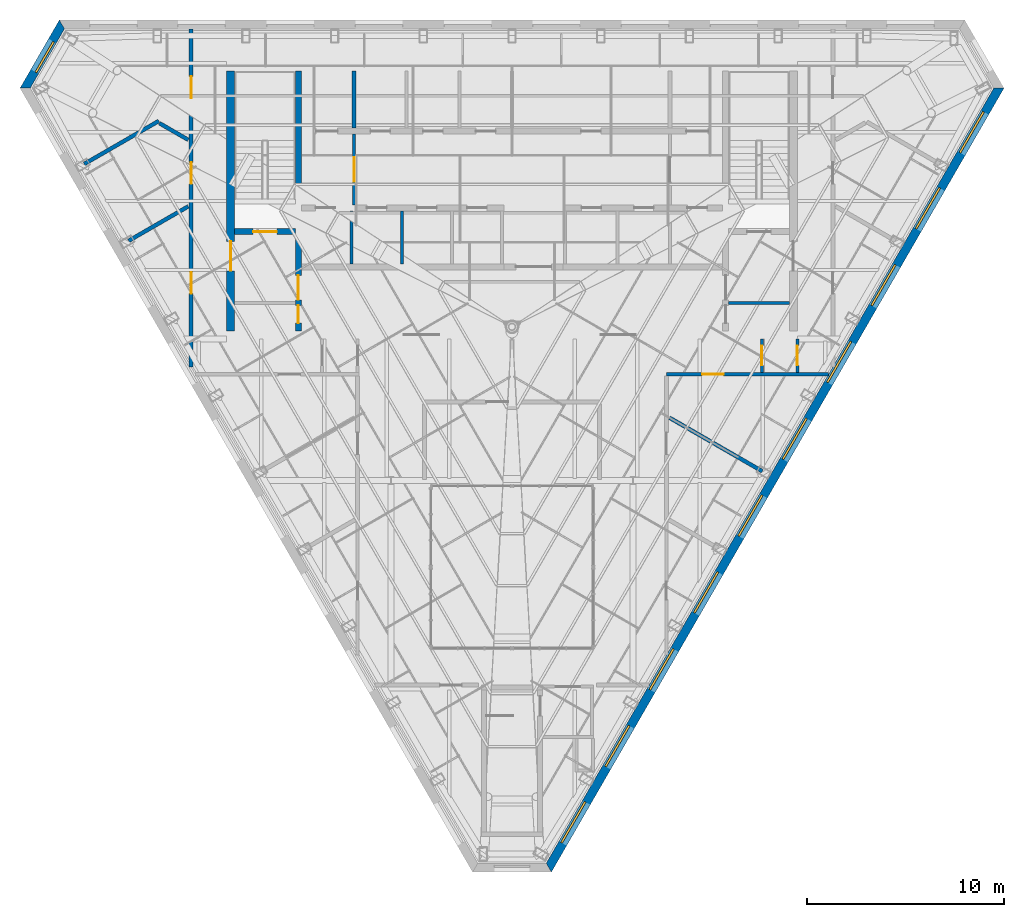
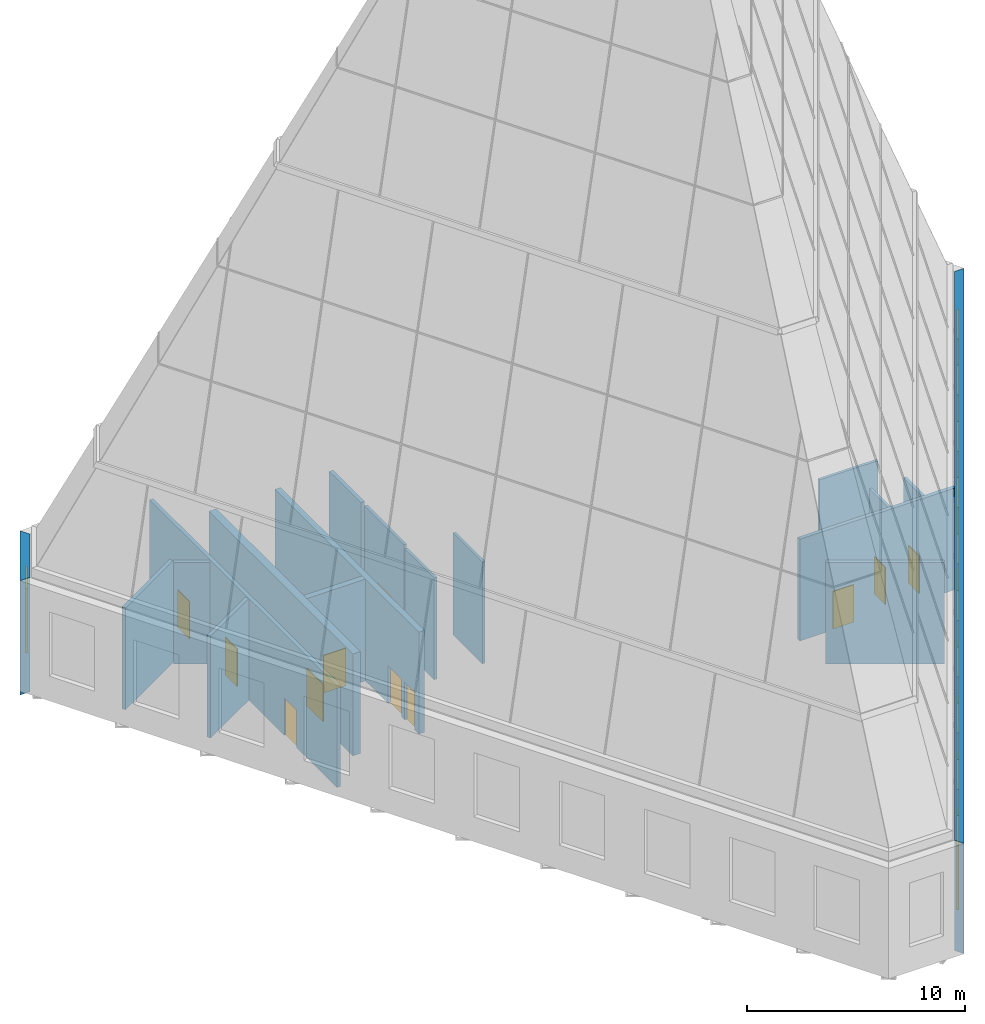
# One storey, part 31 of 36: 18 walls, 11 doors, 11 shading devices, 22 openings.
"""IFC4 building model written with IfcOpenShell, lengths in metres."""

from ifc_helpers import new_model, si_unit, direction, frame, frame_2d, origin, place, context, subcontext, project, spatial, polyline, rectangle, outline, extrude, material, layer, layer_set, type_object, element, fill, save


model = new_model("IFC4")

# Units and contexts
model_context = context("Model", 3, precision=1e-05, world=origin(), true_north=direction((0.0, 1.0)))
body_context = subcontext(model_context, "Body", "Model", "MODEL_VIEW")
ifc_project = project(units=[si_unit("LENGTHUNIT", "METRE"), si_unit("AREAUNIT", "SQUARE_METRE"), si_unit("VOLUMEUNIT", "CUBIC_METRE"), si_unit("PLANEANGLEUNIT", "RADIAN"), si_unit("MASSUNIT", "GRAM", prefix="KILO")], contexts=[model_context])

# Site, building, storey
site_placement = place(None, origin())
site = spatial("IfcSite", under=ifc_project, at=site_placement, CompositionType="ELEMENT")
building_placement = place(site_placement, origin())
building = spatial("IfcBuilding", under=site, at=building_placement, Name="Njiva Tower", CompositionType="ELEMENT")
storey_placement = place(building_placement, frame((0.0, 0.0, 337.8)))
storey = spatial("IfcBuildingStorey", under=building, at=storey_placement, Name="L77", CompositionType="ELEMENT", Elevation=337.8)

# Walls
ifc_material_1 = material(Name="Blockwork", Category="masonry")
ifc_layer_1 = layer(ifc_material_1, 0.15)
ifc_layer_set_1 = layer_set([ifc_layer_1], Name="Blockwork")
wall_type_1 = type_object("IfcWallType", Name="WT1 Compartment partition 150", PredefinedType="PARTITIONING", material=ifc_layer_set_1)
for number, where, z_axis, x_axis, name in (
    (1, (-8.15, 7.8, 0.0), (0.0, 0.0, 1.0), (0.0, 1.0, 0.0), "Partition CS1"),
    (2, (-5.6, 7.8, 0.0), (0.0, 0.0, 1.0), (0.0, 1.0, 0.0), "Partition CS2"),
):
    element("IfcWall", number, at=place(storey_placement, frame(where, z_axis=z_axis, x_axis=x_axis)), inside=storey, type_object=wall_type_1, Name=name, PredefinedType="PARTITIONING", context=body_context, shape_type="SweptSolid", body=[
        extrude(rectangle(XDim=2.7, YDim=0.15, at=frame_2d((1.35, 0.0))), origin(), (0.0, 0.0, 1.0), 5.7),
    ])
wall_1_placement = place(storey_placement, frame((11.0, 5.825, 0.0), z_axis=(0.0, 0.0, 1.0), x_axis=(1.0, 0.0, 0.0)))
element("IfcWall", 3, at=wall_1_placement, inside=storey, type_object=wall_type_1, Name="Room wall B", PredefinedType="PARTITIONING", context=body_context, shape_type="SweptSolid", body=[
    extrude(rectangle(XDim=3.1, YDim=0.15, at=frame_2d((1.55, 0.0))), origin(), (0.0, 0.0, 1.0), 5.7),
])

# Wall, openings, doors
ifc_material_2 = material(Name="Concrete C40/50", Category="concrete")
ifc_layer_2 = layer(ifc_material_2, 0.3)
ifc_layer_set_2 = layer_set([ifc_layer_2], Name="Concrete C40/50")
wall_type_2 = type_object("IfcWallType", Name="WT10 Stair enclosure wall 300", PredefinedType="SHEAR", material=ifc_layer_set_2)
wall_2_placement = place(storey_placement, frame((-10.85, 4.4, 0.0), z_axis=(0.0, 0.0, 1.0), x_axis=(0.0, 1.0, 0.0)))
wall_2 = element("IfcWall", 4, at=wall_2_placement, inside=storey, type_object=wall_type_2, Name="Stair wall west inner", PredefinedType="SHEAR", context=body_context, shape_type="SweptSolid", body=[
    extrude(rectangle(XDim=13.2, YDim=0.3, at=frame_2d((6.6, 0.0))), origin(), (0.0, 0.0, 1.0), 5.7),
])
opening_1_placement = place(wall_2_placement, frame((1.575, 0.0, 0.0)))
opening_1 = element("IfcOpeningElement", 5, at=opening_1_placement, cuts=wall_2, Name="Opening CR-D916", PredefinedType="OPENING", context=body_context, shape_type="SweptSolid", body=[
    extrude(rectangle(XDim=1.25, YDim=2.1, at=frame_2d((0.625, 1.05))), frame((0.0, 0.16, 0.0), z_axis=(0.0, -1.0, 0.0), x_axis=(1.0, 0.0, 0.0)), (0.0, 0.0, 1.0), 0.32),
])
opening_2_placement = place(wall_2_placement, frame((0.4, 0.0, 0.0)))
opening_2 = element("IfcOpeningElement", 6, at=opening_2_placement, cuts=wall_2, Name="Opening CR-D918", PredefinedType="OPENING", context=body_context, shape_type="SweptSolid", body=[
    extrude(rectangle(XDim=0.9, YDim=2.1, at=frame_2d((0.45, 1.05))), frame((0.0, 0.16, 0.0), z_axis=(0.0, -1.0, 0.0), x_axis=(1.0, 0.0, 0.0)), (0.0, 0.0, 1.0), 0.32),
])
ifc_material_3 = material(Name="Steel door, painted", Category="steel")
door_type_1 = type_object("IfcDoorType", Name="D13 Steel door 900x2100", OperationType="SINGLE_SWING_LEFT", PredefinedType="DOOR", material=ifc_material_3)
door_1_placement = place(opening_2_placement, origin())
door_1 = element("IfcDoor", 7, at=door_1_placement, inside=storey, type_object=door_type_1, Name="Electrical plant room door", OperationType="SINGLE_SWING_RIGHT", OverallHeight=2.1, OverallWidth=0.9, PredefinedType="DOOR", context=body_context, shape_type="SweptSolid", body=[
    extrude(rectangle(XDim=0.9, YDim=2.1, at=frame_2d((0.45, 1.05))), frame((0.0, 0.025, 0.0), z_axis=(0.0, -1.0, 0.0), x_axis=(1.0, 0.0, 0.0)), (0.0, 0.0, 1.0), 0.05),
])
fill(opening_2, door_1)
ifc_material_4 = material(Name="Glazed steel fire door", Category="steel")
door_type_2 = type_object("IfcDoorType", Name="D8 Vestibule corridor door 1250x2100 glazed", OperationType="SINGLE_SWING_LEFT", PredefinedType="DOOR", material=ifc_material_4)
door_2_placement = place(opening_1_placement, origin())
door_2 = element("IfcDoor", 8, at=door_2_placement, inside=storey, type_object=door_type_2, Name="Stair vestibule corridor door", OperationType="SINGLE_SWING_LEFT", OverallHeight=2.1, OverallWidth=1.25, PredefinedType="DOOR", context=body_context, shape_type="SweptSolid", body=[
    extrude(rectangle(XDim=1.25, YDim=2.1, at=frame_2d((0.625, 1.05))), frame((0.0, 0.025, 0.0), z_axis=(0.0, -1.0, 0.0), x_axis=(1.0, 0.0, 0.0)), (0.0, 0.0, 1.0), 0.05),
])
fill(opening_1, door_2)

# Wall, opening, door
wall_3_placement = place(storey_placement, frame((-14.1, 9.45, 0.0), z_axis=(0.0, 0.0, 1.0), x_axis=(1.0, 0.0, 0.0)))
wall_3 = element("IfcWall", 9, at=wall_3_placement, inside=storey, type_object=wall_type_2, Name="Stair A south wall", PredefinedType="SHEAR", context=body_context, shape_type="SweptSolid", body=[
    extrude(rectangle(XDim=3.1, YDim=0.3, at=frame_2d((1.55, 0.0))), origin(), (0.0, 0.0, 1.0), 5.7),
])
opening_3_placement = place(wall_3_placement, frame((0.95, 0.0, 0.0)))
opening_3 = element("IfcOpeningElement", 10, at=opening_3_placement, cuts=wall_3, Name="Opening CR-D915", PredefinedType="OPENING", context=body_context, shape_type="SweptSolid", body=[
    extrude(rectangle(XDim=1.2, YDim=2.1, at=frame_2d((0.6, 1.05))), frame((0.0, 0.16, 0.0), z_axis=(0.0, -1.0, 0.0), x_axis=(1.0, 0.0, 0.0)), (0.0, 0.0, 1.0), 0.32),
])
door_type_3 = type_object("IfcDoorType", Name="D7 Stair vestibule door 1200x2100 glazed", OperationType="SINGLE_SWING_LEFT", PredefinedType="DOOR", material=ifc_material_4)
door_3_placement = place(opening_3_placement, origin())
door_3 = element("IfcDoor", 11, at=door_3_placement, inside=storey, type_object=door_type_3, Name="Stair A door", OperationType="SINGLE_SWING_LEFT", OverallHeight=2.1, OverallWidth=1.2, PredefinedType="DOOR", context=body_context, shape_type="SweptSolid", body=[
    extrude(rectangle(XDim=1.2, YDim=2.1, at=frame_2d((0.6, 1.05))), frame((0.0, 0.025, 0.0), z_axis=(0.0, -1.0, 0.0), x_axis=(1.0, 0.0, 0.0)), (0.0, 0.0, 1.0), 0.05),
])
fill(opening_3, door_3)

ifc_material_5 = material(Name="Concrete C60/75", Category="concrete")
ifc_layer_3 = layer(ifc_material_5, 0.4)
ifc_layer_set_3 = layer_set([ifc_layer_3], Name="Concrete C60/75")
wall_type_3 = type_object("IfcWallType", Name="WT11 Core wall 400", PredefinedType="SHEAR", material=ifc_layer_set_3)
wall_4_placement = place(storey_placement, frame((-14.3, 4.4, 0.0), z_axis=(0.0, 0.0, 1.0), x_axis=(0.0, 1.0, 0.0)))
wall_4 = element("IfcWall", 12, at=wall_4_placement, inside=storey, type_object=wall_type_3, Name="Core wall west", PredefinedType="SHEAR", context=body_context, shape_type="SweptSolid", body=[
    extrude(rectangle(XDim=13.2, YDim=0.4, at=frame_2d((6.6, 0.0))), origin(), (0.0, 0.0, 1.0), 5.7),
])
opening_4_placement = place(wall_4_placement, frame((3.05, 0.0, 0.0)))
opening_4 = element("IfcOpeningElement", 13, at=opening_4_placement, cuts=wall_4, Name="Opening CR-D917", PredefinedType="OPENING", context=body_context, shape_type="SweptSolid", body=[
    extrude(rectangle(XDim=1.5, YDim=2.1, at=frame_2d((0.75, 1.05))), frame((0.0, 0.21, 0.0), z_axis=(0.0, -1.0, 0.0), x_axis=(1.0, 0.0, 0.0)), (0.0, 0.0, 1.0), 0.42),
])
door_type_4 = type_object("IfcDoorType", Name="D10 Exit door double 1500x2100 glazed", OperationType="DOUBLE_DOOR_SINGLE_SWING", PredefinedType="DOOR", material=ifc_material_4)
door_4_placement = place(opening_4_placement, origin())
door_4 = element("IfcDoor", 14, at=door_4_placement, inside=storey, type_object=door_type_4, Name="Stair A corridor door", OperationType="DOUBLE_DOOR_SINGLE_SWING", OverallHeight=2.1, OverallWidth=1.5, PredefinedType="DOOR", context=body_context, shape_type="SweptSolid", body=[
    extrude(rectangle(XDim=1.5, YDim=2.1, at=frame_2d((0.75, 1.05))), frame((0.0, 0.025, 0.0), z_axis=(0.0, -1.0, 0.0), x_axis=(1.0, 0.0, 0.0)), (0.0, 0.0, 1.0), 0.05),
])
fill(opening_4, door_4)

ifc_layer_4 = layer(ifc_material_1, 0.15)
ifc_layer_set_4 = layer_set([ifc_layer_4], Name="Blockwork")
wall_type_4 = type_object("IfcWallType", Name="WT2 Lobby partition 150", PredefinedType="PARTITIONING", material=ifc_layer_set_4)
wall_5_placement = place(storey_placement, frame((-8.025, 10.8, 0.0), z_axis=(0.0, 0.0, 1.0), x_axis=(0.0, 1.0, 0.0)))
wall_5 = element("IfcWall", 15, at=wall_5_placement, inside=storey, type_object=wall_type_4, Name="Firefighting lobby wall A", PredefinedType="PARTITIONING", context=body_context, shape_type="SweptSolid", body=[
    extrude(rectangle(XDim=3.6, YDim=0.15, at=frame_2d((1.8, 0.0))), origin(), (0.0, 0.0, 1.0), 5.7),
])
opening_5_placement = place(wall_5_placement, frame((1.175, 0.0, 0.0)))
opening_5 = element("IfcOpeningElement", 16, at=opening_5_placement, cuts=wall_5, Name="Opening CR-D914", PredefinedType="OPENING", context=body_context, shape_type="SweptSolid", body=[
    extrude(rectangle(XDim=1.25, YDim=2.1, at=frame_2d((0.625, 1.05))), frame((0.0, 0.085, 0.0), z_axis=(0.0, -1.0, 0.0), x_axis=(1.0, 0.0, 0.0)), (0.0, 0.0, 1.0), 0.17),
])
door_5_placement = place(opening_5_placement, origin())
door_5 = element("IfcDoor", 17, at=door_5_placement, inside=storey, type_object=door_type_2, Name="Stair vestibule corridor door", OperationType="SINGLE_SWING_RIGHT", OverallHeight=2.1, OverallWidth=1.25, PredefinedType="DOOR", context=body_context, shape_type="SweptSolid", body=[
    extrude(rectangle(XDim=1.25, YDim=2.1, at=frame_2d((0.625, 1.05))), frame((0.0, 0.025, 0.0), z_axis=(0.0, -1.0, 0.0), x_axis=(1.0, 0.0, 0.0)), (0.0, 0.0, 1.0), 0.05),
])
fill(opening_5, door_5)

ifc_material_6 = material(Name="Gypsum board on steel studs", Category="gypsum")
ifc_layer_5 = layer(ifc_material_6, 0.15)
ifc_layer_set_5 = layer_set([ifc_layer_5], Name="Gypsum board on steel studs")
wall_type_5 = type_object("IfcWallType", Name="WT21 Compartment wall 150", PredefinedType="PARTITIONING", material=ifc_layer_set_5)
wall_6_placement = place(storey_placement, frame((12.7, 2.3, 0.0), z_axis=(0.0, 0.0, 1.0), x_axis=(0.0, 1.0, 0.0)))
wall_6 = element("IfcWall", 18, at=wall_6_placement, inside=storey, type_object=wall_type_5, Name="Partition CR-P022", PredefinedType="PARTITIONING", context=body_context, shape_type="SweptSolid", body=[
    extrude(rectangle(XDim=1.7, YDim=0.15, at=frame_2d((0.85, 0.0))), origin(), (0.0, 0.0, 1.0), 5.7),
])
opening_6_placement = place(wall_6_placement, frame((0.35, 0.0, 0.0)))
opening_6 = element("IfcOpeningElement", 19, at=opening_6_placement, cuts=wall_6, Name="Opening CR-D014", PredefinedType="OPENING", context=body_context, shape_type="SweptSolid", body=[
    extrude(rectangle(XDim=1.0, YDim=2.1, at=frame_2d((0.5, 1.05))), frame((0.0, 0.085, 0.0), z_axis=(0.0, -1.0, 0.0), x_axis=(1.0, 0.0, 0.0)), (0.0, 0.0, 1.0), 0.17),
])
ifc_material_7 = material(Name="Steel fire door set", Category="steel")
door_type_5 = type_object("IfcDoorType", Name="D37 Fire door 1000x2100", OperationType="SINGLE_SWING_LEFT", PredefinedType="DOOR", material=ifc_material_7)
door_6_placement = place(opening_6_placement, origin())
door_6 = element("IfcDoor", 20, at=door_6_placement, inside=storey, type_object=door_type_5, Name="Door CR-D014", OperationType="SINGLE_SWING_RIGHT", OverallHeight=2.1, OverallWidth=1.0, PredefinedType="DOOR", context=body_context, shape_type="SweptSolid", body=[
    extrude(rectangle(XDim=1.0, YDim=2.1, at=frame_2d((0.5, 1.05))), frame((0.0, 0.025, 0.0), z_axis=(0.0, -1.0, 0.0), x_axis=(1.0, 0.0, 0.0)), (0.0, 0.0, 1.0), 0.05),
])
fill(opening_6, door_6)

wall_7_placement = place(storey_placement, frame((14.5, 2.3, 0.0), z_axis=(0.0, 0.0, 1.0), x_axis=(0.0, 1.0, 0.0)))
wall_7 = element("IfcWall", 21, at=wall_7_placement, inside=storey, type_object=wall_type_5, Name="Partition CR-P023", PredefinedType="PARTITIONING", context=body_context, shape_type="SweptSolid", body=[
    extrude(rectangle(XDim=1.7, YDim=0.15, at=frame_2d((0.85, 0.0))), origin(), (0.0, 0.0, 1.0), 5.7),
])
opening_7_placement = place(wall_7_placement, frame((0.35, 0.0, 0.0)))
opening_7 = element("IfcOpeningElement", 22, at=opening_7_placement, cuts=wall_7, Name="Opening CR-D015", PredefinedType="OPENING", context=body_context, shape_type="SweptSolid", body=[
    extrude(rectangle(XDim=1.0, YDim=2.1, at=frame_2d((0.5, 1.05))), frame((0.0, 0.085, 0.0), z_axis=(0.0, -1.0, 0.0), x_axis=(1.0, 0.0, 0.0)), (0.0, 0.0, 1.0), 0.17),
])
door_7_placement = place(opening_7_placement, origin())
door_7 = element("IfcDoor", 23, at=door_7_placement, inside=storey, type_object=door_type_5, Name="Door CR-D015", OperationType="SINGLE_SWING_LEFT", OverallHeight=2.1, OverallWidth=1.0, PredefinedType="DOOR", context=body_context, shape_type="SweptSolid", body=[
    extrude(rectangle(XDim=1.0, YDim=2.1, at=frame_2d((0.5, 1.05))), frame((0.0, 0.025, 0.0), z_axis=(0.0, -1.0, 0.0), x_axis=(1.0, 0.0, 0.0)), (0.0, 0.0, 1.0), 0.05),
])
fill(opening_7, door_7)

# Walls
ifc_layer_6 = layer(ifc_material_1, 0.2)
ifc_layer_set_6 = layer_set([ifc_layer_6], Name="Blockwork")
wall_type_6 = type_object("IfcWallType", Name="WT22 Plant room wall 200", PredefinedType="PARTITIONING", material=ifc_layer_set_6)
wall_8_placement = place(storey_placement, frame((-21.736, 12.883, 0.0), z_axis=(0.0, 0.0, 1.0), x_axis=(0.866113347942, 0.499847645306, 0.0)))
element("IfcWall", 24, at=wall_8_placement, inside=storey, type_object=wall_type_6, Name="Partition CR-P001", PredefinedType="PARTITIONING", context=body_context, shape_type="SweptSolid", body=[
    extrude(rectangle(XDim=4.3793, YDim=0.2, at=frame_2d((2.1896, 0.0))), origin(), (0.0, 0.0, 1.0), 5.7),
])
wall_9_placement = place(storey_placement, frame((-19.482, 8.979, 0.0), z_axis=(0.0, 0.0, 1.0), x_axis=(0.86609045941, 0.499887303419, 0.0)))
element("IfcWall", 25, at=wall_9_placement, inside=storey, type_object=wall_type_6, Name="Partition CR-P002", PredefinedType="PARTITIONING", context=body_context, shape_type="SweptSolid", body=[
    extrude(rectangle(XDim=3.5008, YDim=0.2, at=frame_2d((1.7504, 0.0))), origin(), (0.0, 0.0, 1.0), 5.7),
])
wall_10_placement = place(storey_placement, frame((-17.912, 14.954, 0.0), z_axis=(0.0, 0.0, 1.0), x_axis=(0.866047486323, -0.49996174997, 0.0)))
element("IfcWall", 26, at=wall_10_placement, inside=storey, type_object=wall_type_6, Name="Partition CR-P003", PredefinedType="PARTITIONING", context=body_context, shape_type="SweptSolid", body=[
    extrude(rectangle(XDim=1.6881, YDim=0.2, at=frame_2d((0.844, 0.0))), origin(), (0.0, 0.0, 1.0), 5.7),
])

# Wall, openings, doors
wall_11_placement = place(storey_placement, frame((-16.3, 2.568, 0.0), z_axis=(0.0, 0.0, 1.0), x_axis=(0.0, 1.0, 0.0)))
wall_11 = element("IfcWall", 27, at=wall_11_placement, inside=storey, type_object=wall_type_6, Name="Partition CR-P004", PredefinedType="PARTITIONING", context=body_context, shape_type="SweptSolid", body=[
    extrude(rectangle(XDim=17.18, YDim=0.2, at=frame_2d((8.59, 0.0))), origin(), (0.0, 0.0, 1.0), 5.7),
])
opening_8_placement = place(wall_11_placement, frame((3.725, 0.0, 0.0)))
opening_8 = element("IfcOpeningElement", 28, at=opening_8_placement, cuts=wall_11, Name="Opening CR-D001", PredefinedType="OPENING", context=body_context, shape_type="SweptSolid", body=[
    extrude(rectangle(XDim=1.1, YDim=2.1, at=frame_2d((0.55, 1.05))), frame((0.0, 0.11, 0.0), z_axis=(0.0, -1.0, 0.0), x_axis=(1.0, 0.0, 0.0)), (0.0, 0.0, 1.0), 0.22),
])
opening_9_placement = place(wall_11_placement, frame((9.302, 0.0, 0.0)))
opening_9 = element("IfcOpeningElement", 29, at=opening_9_placement, cuts=wall_11, Name="Opening CR-D002", PredefinedType="OPENING", context=body_context, shape_type="SweptSolid", body=[
    extrude(rectangle(XDim=1.1, YDim=2.1, at=frame_2d((0.55, 1.05))), frame((0.0, 0.11, 0.0), z_axis=(0.0, -1.0, 0.0), x_axis=(1.0, 0.0, 0.0)), (0.0, 0.0, 1.0), 0.22),
])
opening_10_placement = place(wall_11_placement, frame((13.667, 0.0, 0.0)))
opening_10 = element("IfcOpeningElement", 30, at=opening_10_placement, cuts=wall_11, Name="Opening CR-D003", PredefinedType="OPENING", context=body_context, shape_type="SweptSolid", body=[
    extrude(rectangle(XDim=1.1, YDim=2.1, at=frame_2d((0.55, 1.05))), frame((0.0, 0.11, 0.0), z_axis=(0.0, -1.0, 0.0), x_axis=(1.0, 0.0, 0.0)), (0.0, 0.0, 1.0), 0.22),
])
ifc_material_8 = material(Name="Steel door set", Category="steel")
door_type_6 = type_object("IfcDoorType", Name="D34 Plant door 1100x2100", OperationType="SINGLE_SWING_LEFT", PredefinedType="DOOR", material=ifc_material_8)
door_8_placement = place(opening_8_placement, origin())
door_8 = element("IfcDoor", 31, at=door_8_placement, inside=storey, type_object=door_type_6, Name="Door CR-D001", OperationType="SINGLE_SWING_RIGHT", OverallHeight=2.1, OverallWidth=1.1, PredefinedType="DOOR", context=body_context, shape_type="SweptSolid", body=[
    extrude(rectangle(XDim=1.1, YDim=2.1, at=frame_2d((0.55, 1.05))), frame((0.0, 0.025, 0.0), z_axis=(0.0, -1.0, 0.0), x_axis=(1.0, 0.0, 0.0)), (0.0, 0.0, 1.0), 0.05),
])
fill(opening_8, door_8)
door_9_placement = place(opening_9_placement, origin())
door_9 = element("IfcDoor", 32, at=door_9_placement, inside=storey, type_object=door_type_6, Name="Door CR-D002", OperationType="SINGLE_SWING_LEFT", OverallHeight=2.1, OverallWidth=1.1, PredefinedType="DOOR", context=body_context, shape_type="SweptSolid", body=[
    extrude(rectangle(XDim=1.1, YDim=2.1, at=frame_2d((0.55, 1.05))), frame((0.0, 0.025, 0.0), z_axis=(0.0, -1.0, 0.0), x_axis=(1.0, 0.0, 0.0)), (0.0, 0.0, 1.0), 0.05),
])
fill(opening_9, door_9)
door_10_placement = place(opening_10_placement, origin())
door_10 = element("IfcDoor", 33, at=door_10_placement, inside=storey, type_object=door_type_6, Name="Door CR-D003", OperationType="SINGLE_SWING_LEFT", OverallHeight=2.1, OverallWidth=1.1, PredefinedType="DOOR", context=body_context, shape_type="SweptSolid", body=[
    extrude(rectangle(XDim=1.1, YDim=2.1, at=frame_2d((0.55, 1.05))), frame((0.0, 0.025, 0.0), z_axis=(0.0, -1.0, 0.0), x_axis=(1.0, 0.0, 0.0)), (0.0, 0.0, 1.0), 0.05),
])
fill(opening_10, door_10)

# Wall, opening, door
wall_12_placement = place(storey_placement, frame((7.85, 2.2, 0.0), z_axis=(0.0, 0.0, 1.0), x_axis=(1.0, 0.0, 0.0)))
wall_12 = element("IfcWall", 34, at=wall_12_placement, inside=storey, type_object=wall_type_6, Name="Partition CR-P019", PredefinedType="PARTITIONING", context=body_context, shape_type="SweptSolid", body=[
    extrude(rectangle(XDim=8.238, YDim=0.2, at=frame_2d((4.119, 0.0))), origin(), (0.0, 0.0, 1.0), 5.7),
])
opening_11_placement = place(wall_12_placement, frame((1.806, 0.0, 0.0)))
opening_11 = element("IfcOpeningElement", 35, at=opening_11_placement, cuts=wall_12, Name="Opening CR-D013", PredefinedType="OPENING", context=body_context, shape_type="SweptSolid", body=[
    extrude(rectangle(XDim=1.1, YDim=2.1, at=frame_2d((0.55, 1.05))), frame((0.0, 0.11, 0.0), z_axis=(0.0, -1.0, 0.0), x_axis=(1.0, 0.0, 0.0)), (0.0, 0.0, 1.0), 0.22),
])
door_11_placement = place(opening_11_placement, origin())
door_11 = element("IfcDoor", 36, at=door_11_placement, inside=storey, type_object=door_type_6, Name="Door CR-D013", OperationType="SINGLE_SWING_LEFT", OverallHeight=2.1, OverallWidth=1.1, PredefinedType="DOOR", context=body_context, shape_type="SweptSolid", body=[
    extrude(rectangle(XDim=1.1, YDim=2.1, at=frame_2d((0.55, 1.05))), frame((0.0, 0.025, 0.0), z_axis=(0.0, -1.0, 0.0), x_axis=(1.0, 0.0, 0.0)), (0.0, 0.0, 1.0), 0.05),
])
fill(opening_11, door_11)

# Walls
wall_13_placement = place(storey_placement, frame((8.0, -0.008, 0.0), z_axis=(0.0, 0.0, 1.0), x_axis=(0.866158094902, -0.499770101782, 0.0)))
element("IfcWall", 37, at=wall_13_placement, inside=storey, type_object=wall_type_6, Name="Partition CR-P021", PredefinedType="PARTITIONING", context=body_context, shape_type="SweptSolid", body=[
    extrude(rectangle(XDim=5.4505, YDim=0.2, at=frame_2d((2.7252, 0.0))), origin(), (0.0, 0.0, 1.0), 5.7),
])
ifc_layer_7 = layer(ifc_material_2, 0.2)
ifc_layer_set_7 = layer_set([ifc_layer_7], Name="Concrete C40/50")
wall_type_7 = type_object("IfcWallType", Name="WT6 Lift shaft wall 200", PredefinedType="SHEAR", material=ifc_layer_set_7)
wall_14_placement = place(storey_placement, frame((-8.025, 14.7, 0.0), z_axis=(0.0, 0.0, 1.0), x_axis=(0.0, 1.0, 0.0)))
element("IfcWall", 38, at=wall_14_placement, inside=storey, type_object=wall_type_7, Name="Shaft wall CN1", PredefinedType="SHEAR", context=body_context, shape_type="SweptSolid", body=[
    extrude(rectangle(XDim=2.9, YDim=0.2, at=frame_2d((1.45, 0.0))), origin(), (0.0, 0.0, 1.0), 5.7),
])

# Wall, openings, shading devices
ifc_material_9 = material(Name="Brick masonry", Category="masonry")
ifc_layer_8 = layer(ifc_material_9, 0.45)
ifc_layer_set_8 = layer_set([ifc_layer_8], Name="Brick masonry")
wall_type_8 = type_object("IfcWallType", Name="WT90 Brick pier and spandrel wall 450", PredefinedType="SOLIDWALL", material=ifc_layer_set_8)
wall_15_placement = place(storey_placement, frame((1.8701, -22.8763, -0.18), z_axis=(0.0, 0.0, 1.0), x_axis=(0.499999764979, 0.866025539474, 0.0)))
wall_15 = element("IfcWall", 39, at=wall_15_placement, inside=storey, type_object=wall_type_8, Name="Facade wall SE", PredefinedType="SOLIDWALL", context=body_context, shape_type="SweptSolid", body=[
    extrude(outline(polyline([(-0.1299, -0.225), (45.8701, -0.225), (45.6103, 0.225), (0.1299, 0.225), (-0.1299, -0.225)])), origin(), (0.0, 0.0, 1.0), 6.18),
])
opening_12_placement = place(wall_15_placement, frame((1.4242, 0.0, 1.38)))
opening_12 = element("IfcOpeningElement", 40, at=opening_12_placement, cuts=wall_15, Name="Opening CR-LV23", PredefinedType="OPENING", context=body_context, shape_type="SweptSolid", body=[
    extrude(rectangle(XDim=2.4, YDim=3.6, at=frame_2d((1.2, 1.8))), frame((0.0, 0.235, 0.0), z_axis=(0.0, -1.0, 0.0), x_axis=(1.0, 0.0, 0.0)), (0.0, 0.0, 1.0), 0.47),
])
opening_13_placement = place(wall_15_placement, frame((5.8934, 0.0, 1.38)))
opening_13 = element("IfcOpeningElement", 41, at=opening_13_placement, cuts=wall_15, Name="Opening CR-LV24", PredefinedType="OPENING", context=body_context, shape_type="SweptSolid", body=[
    extrude(rectangle(XDim=2.4, YDim=3.6, at=frame_2d((1.2, 1.8))), frame((0.0, 0.235, 0.0), z_axis=(0.0, -1.0, 0.0), x_axis=(1.0, 0.0, 0.0)), (0.0, 0.0, 1.0), 0.47),
])
opening_14_placement = place(wall_15_placement, frame((10.401, 0.0, 1.38)))
opening_14 = element("IfcOpeningElement", 42, at=opening_14_placement, cuts=wall_15, Name="Opening CR-LV25", PredefinedType="OPENING", context=body_context, shape_type="SweptSolid", body=[
    extrude(rectangle(XDim=2.4, YDim=3.6, at=frame_2d((1.2, 1.8))), frame((0.0, 0.235, 0.0), z_axis=(0.0, -1.0, 0.0), x_axis=(1.0, 0.0, 0.0)), (0.0, 0.0, 1.0), 0.47),
])
opening_15_placement = place(wall_15_placement, frame((14.9087, 0.0, 1.38)))
opening_15 = element("IfcOpeningElement", 43, at=opening_15_placement, cuts=wall_15, Name="Opening CR-LV26", PredefinedType="OPENING", context=body_context, shape_type="SweptSolid", body=[
    extrude(rectangle(XDim=2.4, YDim=3.6, at=frame_2d((1.2, 1.8))), frame((0.0, 0.235, 0.0), z_axis=(0.0, -1.0, 0.0), x_axis=(1.0, 0.0, 0.0)), (0.0, 0.0, 1.0), 0.47),
])
opening_16_placement = place(wall_15_placement, frame((19.4163, 0.0, 1.38)))
opening_16 = element("IfcOpeningElement", 44, at=opening_16_placement, cuts=wall_15, Name="Opening CR-LV27", PredefinedType="OPENING", context=body_context, shape_type="SweptSolid", body=[
    extrude(rectangle(XDim=2.4, YDim=3.6, at=frame_2d((1.2, 1.8))), frame((0.0, 0.235, 0.0), z_axis=(0.0, -1.0, 0.0), x_axis=(1.0, 0.0, 0.0)), (0.0, 0.0, 1.0), 0.47),
])
opening_17_placement = place(wall_15_placement, frame((23.9239, 0.0, 1.38)))
opening_17 = element("IfcOpeningElement", 45, at=opening_17_placement, cuts=wall_15, Name="Opening CR-LV28", PredefinedType="OPENING", context=body_context, shape_type="SweptSolid", body=[
    extrude(rectangle(XDim=2.4, YDim=3.6, at=frame_2d((1.2, 1.8))), frame((0.0, 0.235, 0.0), z_axis=(0.0, -1.0, 0.0), x_axis=(1.0, 0.0, 0.0)), (0.0, 0.0, 1.0), 0.47),
])
opening_18_placement = place(wall_15_placement, frame((28.4315, 0.0, 1.38)))
opening_18 = element("IfcOpeningElement", 46, at=opening_18_placement, cuts=wall_15, Name="Opening CR-LV29", PredefinedType="OPENING", context=body_context, shape_type="SweptSolid", body=[
    extrude(rectangle(XDim=2.4, YDim=3.6, at=frame_2d((1.2, 1.8))), frame((0.0, 0.235, 0.0), z_axis=(0.0, -1.0, 0.0), x_axis=(1.0, 0.0, 0.0)), (0.0, 0.0, 1.0), 0.47),
])
opening_19_placement = place(wall_15_placement, frame((32.9391, 0.0, 1.38)))
opening_19 = element("IfcOpeningElement", 47, at=opening_19_placement, cuts=wall_15, Name="Opening CR-LV30", PredefinedType="OPENING", context=body_context, shape_type="SweptSolid", body=[
    extrude(rectangle(XDim=2.4, YDim=3.6, at=frame_2d((1.2, 1.8))), frame((0.0, 0.235, 0.0), z_axis=(0.0, -1.0, 0.0), x_axis=(1.0, 0.0, 0.0)), (0.0, 0.0, 1.0), 0.47),
])
opening_20_placement = place(wall_15_placement, frame((37.4468, 0.0, 1.38)))
opening_20 = element("IfcOpeningElement", 48, at=opening_20_placement, cuts=wall_15, Name="Opening CR-LV31", PredefinedType="OPENING", context=body_context, shape_type="SweptSolid", body=[
    extrude(rectangle(XDim=2.4, YDim=3.6, at=frame_2d((1.2, 1.8))), frame((0.0, 0.235, 0.0), z_axis=(0.0, -1.0, 0.0), x_axis=(1.0, 0.0, 0.0)), (0.0, 0.0, 1.0), 0.47),
])
opening_21_placement = place(wall_15_placement, frame((41.916, 0.0, 1.38)))
opening_21 = element("IfcOpeningElement", 49, at=opening_21_placement, cuts=wall_15, Name="Opening CR-LV32", PredefinedType="OPENING", context=body_context, shape_type="SweptSolid", body=[
    extrude(rectangle(XDim=2.4, YDim=3.6, at=frame_2d((1.2, 1.8))), frame((0.0, 0.235, 0.0), z_axis=(0.0, -1.0, 0.0), x_axis=(1.0, 0.0, 0.0)), (0.0, 0.0, 1.0), 0.47),
])
ifc_material_10 = material(Name="Aluminium louvre blades", Category="aluminium")
shading_device_type_1 = type_object("IfcShadingDeviceType", Name="LV1 Plant louvre 2400x3600", PredefinedType="JALOUSIE", material=ifc_material_10)
shading_device_1_placement = place(opening_12_placement, origin())
shading_device_1 = element("IfcShadingDevice", 50, at=shading_device_1_placement, inside=storey, type_object=shading_device_type_1, Name="Plant louvre", PredefinedType="JALOUSIE", context=body_context, shape_type="SweptSolid", body=[
    extrude(rectangle(XDim=2.4, YDim=3.6, at=frame_2d((1.2, 1.8))), frame((0.0, 0.125, 0.0), z_axis=(0.0, -1.0, 0.0), x_axis=(1.0, 0.0, 0.0)), (0.0, 0.0, 1.0), 0.1),
])
fill(opening_12, shading_device_1)
shading_device_2_placement = place(opening_13_placement, origin())
shading_device_2 = element("IfcShadingDevice", 51, at=shading_device_2_placement, inside=storey, type_object=shading_device_type_1, Name="Plant louvre", PredefinedType="JALOUSIE", context=body_context, shape_type="SweptSolid", body=[
    extrude(rectangle(XDim=2.4, YDim=3.6, at=frame_2d((1.2, 1.8))), frame((0.0, 0.125, 0.0), z_axis=(0.0, -1.0, 0.0), x_axis=(1.0, 0.0, 0.0)), (0.0, 0.0, 1.0), 0.1),
])
fill(opening_13, shading_device_2)
shading_device_3_placement = place(opening_14_placement, origin())
shading_device_3 = element("IfcShadingDevice", 52, at=shading_device_3_placement, inside=storey, type_object=shading_device_type_1, Name="Plant louvre", PredefinedType="JALOUSIE", context=body_context, shape_type="SweptSolid", body=[
    extrude(rectangle(XDim=2.4, YDim=3.6, at=frame_2d((1.2, 1.8))), frame((0.0, 0.125, 0.0), z_axis=(0.0, -1.0, 0.0), x_axis=(1.0, 0.0, 0.0)), (0.0, 0.0, 1.0), 0.1),
])
fill(opening_14, shading_device_3)
shading_device_4_placement = place(opening_15_placement, origin())
shading_device_4 = element("IfcShadingDevice", 53, at=shading_device_4_placement, inside=storey, type_object=shading_device_type_1, Name="Plant louvre", PredefinedType="JALOUSIE", context=body_context, shape_type="SweptSolid", body=[
    extrude(rectangle(XDim=2.4, YDim=3.6, at=frame_2d((1.2, 1.8))), frame((0.0, 0.125, 0.0), z_axis=(0.0, -1.0, 0.0), x_axis=(1.0, 0.0, 0.0)), (0.0, 0.0, 1.0), 0.1),
])
fill(opening_15, shading_device_4)
shading_device_5_placement = place(opening_16_placement, origin())
shading_device_5 = element("IfcShadingDevice", 54, at=shading_device_5_placement, inside=storey, type_object=shading_device_type_1, Name="Plant louvre", PredefinedType="JALOUSIE", context=body_context, shape_type="SweptSolid", body=[
    extrude(rectangle(XDim=2.4, YDim=3.6, at=frame_2d((1.2, 1.8))), frame((0.0, 0.125, 0.0), z_axis=(0.0, -1.0, 0.0), x_axis=(1.0, 0.0, 0.0)), (0.0, 0.0, 1.0), 0.1),
])
fill(opening_16, shading_device_5)
shading_device_6_placement = place(opening_17_placement, origin())
shading_device_6 = element("IfcShadingDevice", 55, at=shading_device_6_placement, inside=storey, type_object=shading_device_type_1, Name="Plant louvre", PredefinedType="JALOUSIE", context=body_context, shape_type="SweptSolid", body=[
    extrude(rectangle(XDim=2.4, YDim=3.6, at=frame_2d((1.2, 1.8))), frame((0.0, 0.125, 0.0), z_axis=(0.0, -1.0, 0.0), x_axis=(1.0, 0.0, 0.0)), (0.0, 0.0, 1.0), 0.1),
])
fill(opening_17, shading_device_6)
shading_device_7_placement = place(opening_18_placement, origin())
shading_device_7 = element("IfcShadingDevice", 56, at=shading_device_7_placement, inside=storey, type_object=shading_device_type_1, Name="Plant louvre", PredefinedType="JALOUSIE", context=body_context, shape_type="SweptSolid", body=[
    extrude(rectangle(XDim=2.4, YDim=3.6, at=frame_2d((1.2, 1.8))), frame((0.0, 0.125, 0.0), z_axis=(0.0, -1.0, 0.0), x_axis=(1.0, 0.0, 0.0)), (0.0, 0.0, 1.0), 0.1),
])
fill(opening_18, shading_device_7)
shading_device_8_placement = place(opening_19_placement, origin())
shading_device_8 = element("IfcShadingDevice", 57, at=shading_device_8_placement, inside=storey, type_object=shading_device_type_1, Name="Plant louvre", PredefinedType="JALOUSIE", context=body_context, shape_type="SweptSolid", body=[
    extrude(rectangle(XDim=2.4, YDim=3.6, at=frame_2d((1.2, 1.8))), frame((0.0, 0.125, 0.0), z_axis=(0.0, -1.0, 0.0), x_axis=(1.0, 0.0, 0.0)), (0.0, 0.0, 1.0), 0.1),
])
fill(opening_19, shading_device_8)
shading_device_9_placement = place(opening_20_placement, origin())
shading_device_9 = element("IfcShadingDevice", 58, at=shading_device_9_placement, inside=storey, type_object=shading_device_type_1, Name="Plant louvre", PredefinedType="JALOUSIE", context=body_context, shape_type="SweptSolid", body=[
    extrude(rectangle(XDim=2.4, YDim=3.6, at=frame_2d((1.2, 1.8))), frame((0.0, 0.125, 0.0), z_axis=(0.0, -1.0, 0.0), x_axis=(1.0, 0.0, 0.0)), (0.0, 0.0, 1.0), 0.1),
])
fill(opening_20, shading_device_9)
shading_device_10_placement = place(opening_21_placement, origin())
shading_device_10 = element("IfcShadingDevice", 59, at=shading_device_10_placement, inside=storey, type_object=shading_device_type_1, Name="Plant louvre", PredefinedType="JALOUSIE", context=body_context, shape_type="SweptSolid", body=[
    extrude(rectangle(XDim=2.4, YDim=3.6, at=frame_2d((1.2, 1.8))), frame((0.0, 0.125, 0.0), z_axis=(0.0, -1.0, 0.0), x_axis=(1.0, 0.0, 0.0)), (0.0, 0.0, 1.0), 0.1),
])
fill(opening_21, shading_device_10)

# Wall, opening, shading device
ifc_material_11 = material(Name="Brick masonry, buff", Category="masonry")
ifc_layer_9 = layer(ifc_material_11, 0.45)
ifc_layer_set_9 = layer_set([ifc_layer_9], Name="Brick masonry, buff")
wall_type_9 = type_object("IfcWallType", Name="WT94 Brick pier and spandrel wall 450, buff", PredefinedType="SOLIDWALL", material=ifc_layer_set_9)
wall_16_placement = place(storey_placement, frame((-22.8701, 19.975, -0.4), z_axis=(0.0, 0.0, 1.0), x_axis=(-0.500000951101, -0.866024854666, 0.0)))
wall_16 = element("IfcWall", 60, at=wall_16_placement, inside=storey, type_object=wall_type_9, Name="Facade wall NW", PredefinedType="SOLIDWALL", context=body_context, shape_type="SweptSolid", body=[
    extrude(outline(polyline([(-0.1299, -0.225), (3.8701, -0.225), (3.6103, 0.225), (0.1299, 0.225), (-0.1299, -0.225)])), origin(), (0.0, 0.0, 1.0), 6.4),
])
opening_22_placement = place(wall_16_placement, frame((0.9701, 0.0, 1.6)))
opening_22 = element("IfcOpeningElement", 61, at=opening_22_placement, cuts=wall_16, Name="Opening CR-LV11", PredefinedType="OPENING", context=body_context, shape_type="SweptSolid", body=[
    extrude(rectangle(XDim=1.8, YDim=3.6, at=frame_2d((0.9, 1.8))), frame((0.0, 0.235, 0.0), z_axis=(0.0, -1.0, 0.0), x_axis=(1.0, 0.0, 0.0)), (0.0, 0.0, 1.0), 0.47),
])
shading_device_type_2 = type_object("IfcShadingDeviceType", Name="LV2 Plant louvre 1800x3600", PredefinedType="JALOUSIE", material=ifc_material_10)
shading_device_11_placement = place(opening_22_placement, origin())
shading_device_11 = element("IfcShadingDevice", 62, at=shading_device_11_placement, inside=storey, type_object=shading_device_type_2, Name="Plant louvre", PredefinedType="JALOUSIE", context=body_context, shape_type="SweptSolid", body=[
    extrude(rectangle(XDim=1.8, YDim=3.6, at=frame_2d((0.9, 1.8))), frame((0.0, 0.125, 0.0), z_axis=(0.0, -1.0, 0.0), x_axis=(1.0, 0.0, 0.0)), (0.0, 0.0, 1.0), 0.1),
])
fill(opening_22, shading_device_11)

save(model, "model.ifc")
